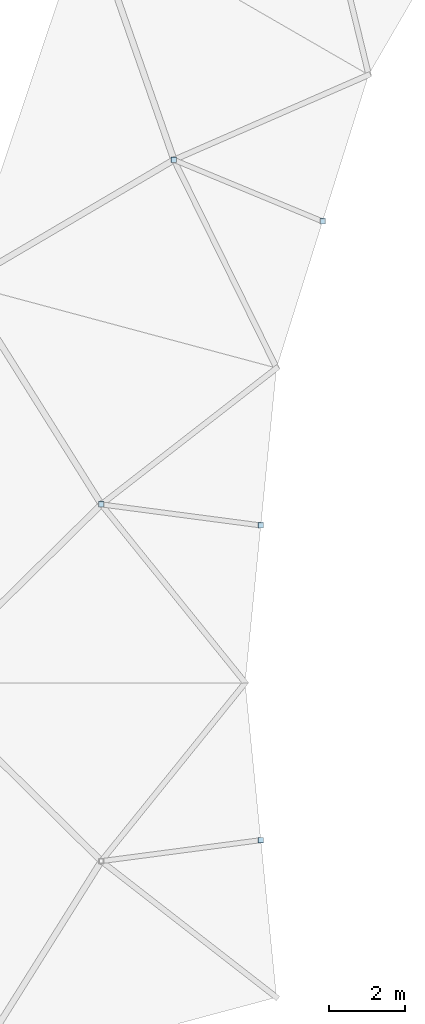
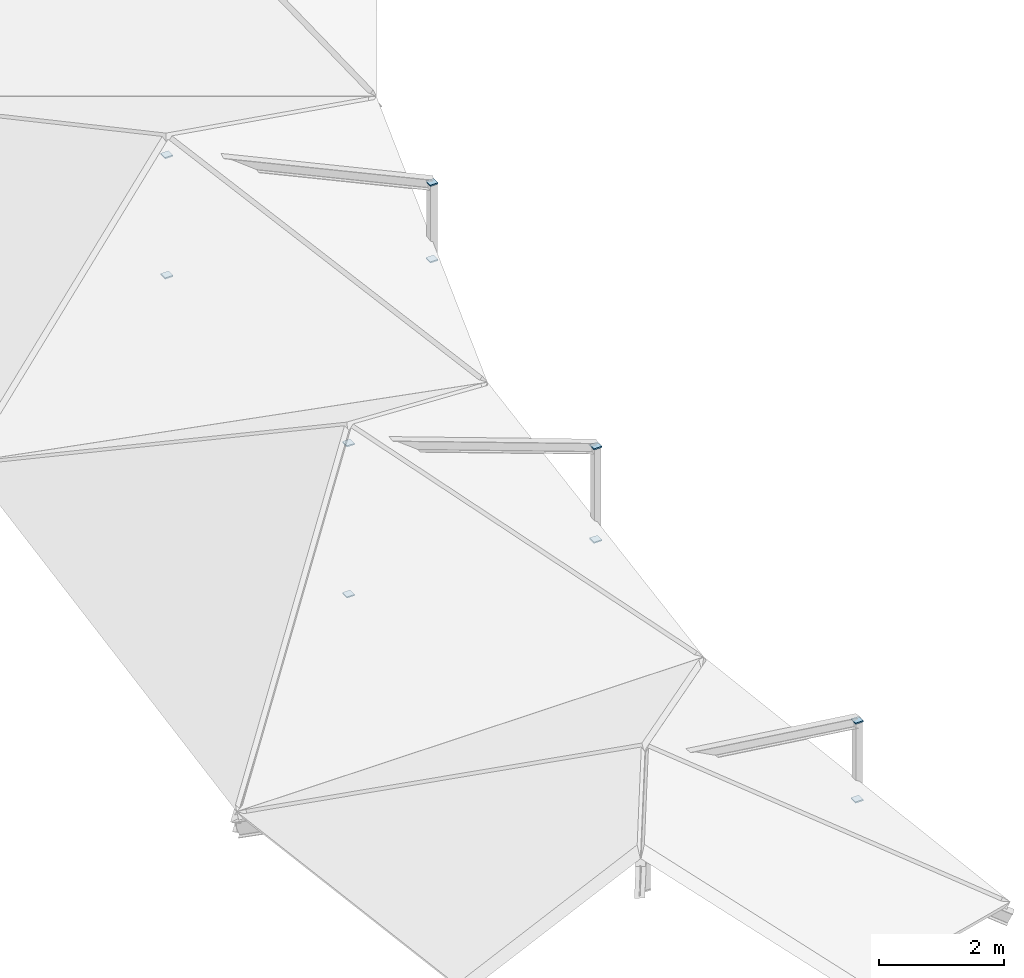
# One storey, part 50 of 66: 10 plates.
"""IFC4 building model written with IfcOpenShell, lengths in metres."""

from ifc_helpers import new_model, si_unit, direction, frame, origin, origin_2d, place, context, subcontext, project, spatial, rectangle, extrude, material, layer, layer_set, type_object, element, save


model = new_model("IFC4")

# Units and contexts
model_context = context("Model", 3, precision=1e-05, world=origin(), true_north=direction((0.0, 1.0)))
body_context = subcontext(model_context, "Body", "Model", "MODEL_VIEW")
ifc_project = project(units=[si_unit("LENGTHUNIT", "METRE"), si_unit("AREAUNIT", "SQUARE_METRE"), si_unit("VOLUMEUNIT", "CUBIC_METRE"), si_unit("PLANEANGLEUNIT", "RADIAN"), si_unit("MASSUNIT", "GRAM", prefix="KILO")], contexts=[model_context])

# Site, building, storey
site_placement = place(None, origin())
site = spatial("IfcSite", under=ifc_project, at=site_placement, CompositionType="ELEMENT")
building_placement = place(site_placement, origin())
building = spatial("IfcBuilding", under=site, at=building_placement, Name="Karori Crest Natural Sciences Institute", CompositionType="ELEMENT")
storey_placement = place(building_placement, frame((0.0, 0.0, 30.10009765625)))
storey = spatial("IfcBuildingStorey", under=building, at=storey_placement, Name="L07", CompositionType="ELEMENT", Elevation=30.10009765625)

# Plates
ifc_material = material(Name="Structural steel AS/NZS 3679.1 Grade 350", Category="steel")
ifc_layer = layer(ifc_material, 0.02490234375, Name="Structural steel AS/NZS 3679.1 Grade 350")
ifc_layer_set = layer_set([ifc_layer], Name="Structural steel AS/NZS 3679.1 Grade 350")
plate_type = type_object("IfcPlateType", Name="PLT-06-EL", PredefinedType="SHEET", material=ifc_layer_set)
for number, where, z_axis, x_axis, name in (
    (1, (40.111572265625, 63.748291015625, -0.27001953125), (0.0, 0.0, 1.0), (1.0, 0.0, 0.0), "Hollow section end cap EP-0097"),
    (2, (40.111572265625, 63.748291015625, 2.071044921875), (0.0, 0.0, 1.0), (1.0, 0.0, 0.0), "Hollow section end cap EP-0098"),
    (3, (44.05029296875, 62.116943359375, -0.34814453125), (0.0, 0.0, 1.0), (1.0, 0.0, 0.0), "Hollow section end cap EP-0099"),
    (4, (44.05029296875, 62.116943359375, 1.14306640625), (0.0, 0.0, 1.0), (1.0, 0.0, 0.0), "Hollow section end cap EP-0100"),
    (5, (38.18896484375, 54.62353515625, -0.27001953125), (0.0, 0.0, 1.0), (1.0, 0.0, 0.0), "Hollow section end cap EP-0101"),
    (6, (38.18896484375, 54.62353515625, 2.66796875), (0.0, 0.0, 1.0), (1.0, 0.0, 0.0), "Hollow section end cap EP-0102"),
    (7, (42.415771484375, 54.06689453125, -0.34814453125), (0.0, 0.0, 1.0), (1.0, 0.0, 0.0), "Hollow section end cap EP-0103"),
    (8, (42.415771484375, 54.06689453125, 1.468994140625), (0.0, 0.0, 1.0), (1.0, 0.0, 0.0), "Hollow section end cap EP-0104"),
    (9, (42.415771484375, 45.73291015625, -0.34814453125), (0.0, 0.0, 1.0), (1.0, 0.0, 0.0), "Hollow section end cap EP-0107"),
    (10, (42.415771484375, 45.73291015625, 1.18603515625), (0.0, 0.0, 1.0), (1.0, 0.0, 0.0), "Hollow section end cap EP-0108"),
):
    element("IfcPlate", number, at=place(storey_placement, frame(where, z_axis=z_axis, x_axis=x_axis)), inside=storey, type_object=plate_type, Name=name, PredefinedType="SHEET", context=body_context, shape_type="SweptSolid", body=[
        extrude(rectangle(XDim=0.14501953125, YDim=0.14501953125, at=origin_2d()), origin(), (0.0, 0.0, 1.0), 0.02490234375),
    ])

save(model, "model.ifc")
